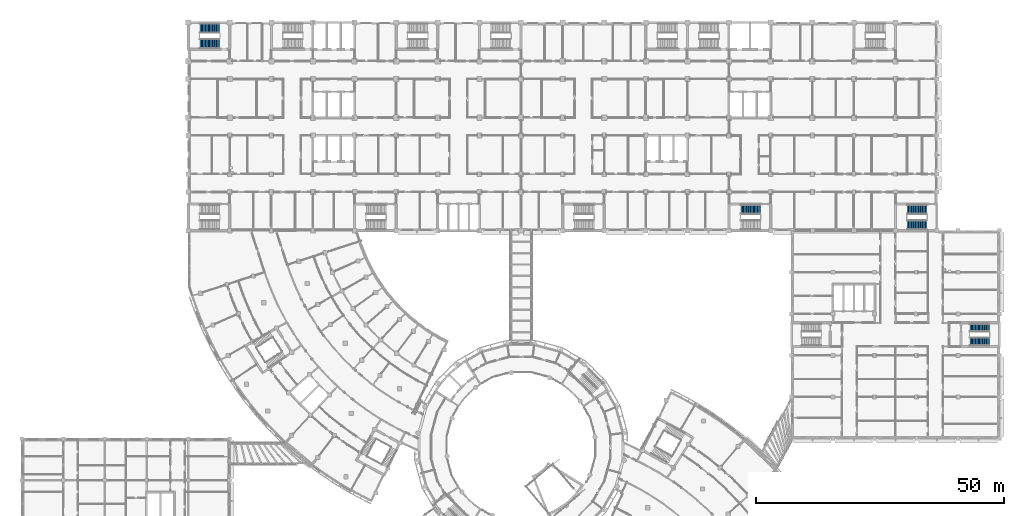
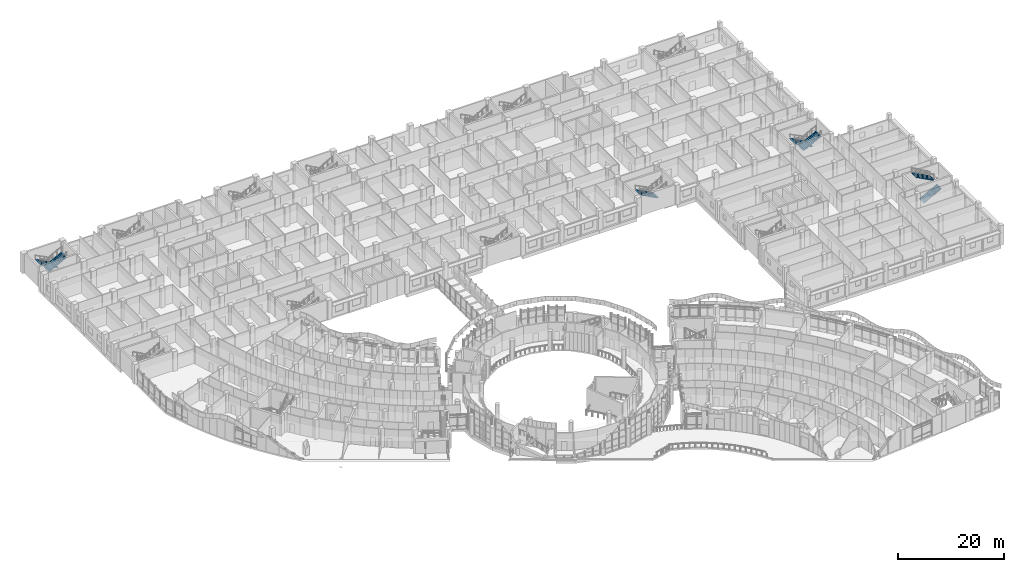
# One storey, part 96 of 136: 7 stair flights, 4 elements without a shape of their own.
"""IFC4 building model written with IfcOpenShell, lengths in metres."""

from ifc_helpers import new_model, si_unit, direction, frame, origin, place, context, subcontext, project, spatial, polyline, outline, extrude, material, type_object, element, aggregate, save


model = new_model("IFC4")

# Units and contexts
model_context = context("Model", 3, precision=1e-05, world=origin(), true_north=direction((0.0, 1.0)))
body_context = subcontext(model_context, "Body", "Model", "MODEL_VIEW")
ifc_project = project(units=[si_unit("LENGTHUNIT", "METRE"), si_unit("AREAUNIT", "SQUARE_METRE"), si_unit("VOLUMEUNIT", "CUBIC_METRE"), si_unit("PLANEANGLEUNIT", "RADIAN"), si_unit("MASSUNIT", "GRAM", prefix="KILO")], contexts=[model_context])

# Site, building, storey
site_placement = place(None, origin())
site = spatial("IfcSite", under=ifc_project, at=site_placement, CompositionType="ELEMENT")
building_placement = place(site_placement, origin())
building = spatial("IfcBuilding", under=site, at=building_placement, Name="Bougainvillea Quay General Hospital", CompositionType="ELEMENT")
storey_placement = place(building_placement, frame((0.0, 0.0, 5.39990234375)))
storey = spatial("IfcBuildingStorey", under=building, at=storey_placement, Name="L01", CompositionType="ELEMENT", Elevation=5.39990234375)

# Stair, stair flights
ifc_material = material(Name="Concrete C35", Category="concrete")
stair_type_1 = type_object("IfcStairType", Name="Stair half-turn 1650 wide", PredefinedType="HALF_TURN_STAIR", material=ifc_material)
stair_1_placement = place(storey_placement, origin())
stair_1 = element("IfcStair", 1, at=stair_1_placement, inside=storey, type_object=stair_type_1, Name="L01 stair ST-T2", PredefinedType="HALF_TURN_STAIR")
stair_flight_type_1 = type_object("IfcStairFlightType", Name="Stair flight 1650", PredefinedType="STRAIGHT", material=ifc_material)
stair_flight_1_placement = place(storey_placement, frame((199.824951171875, 95.199951171875, 0.0), z_axis=(0.0, 0.0, 1.0), x_axis=(1.0, 0.0, 0.0)))
stair_flight_1 = element("IfcStairFlight", 2, at=stair_flight_1_placement, type_object=stair_flight_type_1, Name="ST-T2 flight 1", NumberOfRisers=15, NumberOfTreads=14, PredefinedType="STRAIGHT", RiserHeight=0.15, TreadLength=0.28, context=body_context, shape_type="SweptSolid", body=[
    extrude(outline(polyline([(-0.0029296875, 0.0), (-0.0029296875, 0.003662109375), (-0.0029296875, 0.00732421875), (-0.0029296875, 0.010986328125), (-0.0029296875, 0.0146484375), (-0.0029296875, 0.018310546875), (-0.0029296875, 0.02197265625), (-0.0029296875, 0.025634765625), (-0.0029296875, 0.029296875), (-0.0029296875, 0.032958984375), (-0.0029296875, 0.03662109375), (-0.0029296875, 0.040283203125), (-0.0029296875, 0.0439453125), (-0.0029296875, 0.047607421875), (-0.0029296875, 0.05126953125), (-0.0029296875, 0.054931640625), (-0.0029296875, 0.05859375), (-0.0029296875, 0.062255859375), (-0.0029296875, 0.06591796875), (-0.0029296875, 0.069580078125), (-0.0029296875, 0.0732421875), (-0.0029296875, 0.076904296875), (-0.0029296875, 0.08056640625), (-0.0029296875, 0.084228515625), (-0.0029296875, 0.087890625), (-0.0029296875, 0.091552734375), (-0.0029296875, 0.09521484375), (-0.0029296875, 0.098876953125), (-0.0029296875, 0.1025390625), (-0.0029296875, 0.106201171875), (-0.0029296875, 0.10986328125), (-0.0029296875, 0.113525390625), (-0.0029296875, 0.1171875), (-0.0029296875, 0.120849609375), (-0.0029296875, 0.12451171875), (-0.0029296875, 0.1279296875), (-0.0029296875, 0.131591796875), (-0.0029296875, 0.13525390625), (-0.0029296875, 0.138916015625), (-0.0029296875, 0.142578125), (-0.0029296875, 0.146240234375), (-0.0029296875, 0.14990234375), (0.280029296875, 0.14990234375), (0.280029296875, 0.300048828125), (0.56005859375, 0.300048828125), (0.56005859375, 0.449951171875), (0.840087890625, 0.449951171875), (0.840087890625, 0.60009765625), (1.1201171875, 0.60009765625), (1.1201171875, 0.75), (1.39990234375, 0.75), (1.39990234375, 0.89990234375), (1.679931640625, 0.89990234375), (1.679931640625, 1.050048828125), (1.9599609375, 1.050048828125), (1.9599609375, 1.199951171875), (2.239990234375, 1.199951171875), (2.239990234375, 1.35009765625), (2.52001953125, 1.35009765625), (2.52001953125, 1.5), (2.800048828125, 1.5), (2.800048828125, 1.64990234375), (3.080078125, 1.64990234375), (3.080078125, 1.800048828125), (3.360107421875, 1.800048828125), (3.360107421875, 1.949951171875), (3.639892578125, 1.949951171875), (3.639892578125, 2.10009765625), (3.923095703125, 2.10009765625), (3.923095703125, 2.095947265625), (3.923095703125, 2.091796875), (3.923095703125, 2.087646484375), (3.923095703125, 2.08349609375), (3.923095703125, 2.079345703125), (3.923095703125, 2.0751953125), (3.923095703125, 2.071044921875), (3.923095703125, 2.06689453125), (3.923095703125, 2.062744140625), (3.923095703125, 2.05859375), (3.923095703125, 2.054443359375), (3.923095703125, 2.05029296875), (3.923095703125, 2.046142578125), (3.923095703125, 2.0419921875), (3.923095703125, 2.037841796875), (3.923095703125, 2.03369140625), (3.923095703125, 2.029541015625), (3.923095703125, 2.025390625), (3.923095703125, 2.021240234375), (3.923095703125, 2.01708984375), (3.923095703125, 2.012939453125), (3.923095703125, 2.0087890625), (3.923095703125, 2.004638671875), (3.923095703125, 2.00048828125), (3.923095703125, 1.996337890625), (3.923095703125, 1.9921875), (3.923095703125, 1.988037109375), (3.923095703125, 1.98388671875), (3.923095703125, 1.979736328125), (3.923095703125, 1.9755859375), (3.923095703125, 1.971435546875), (3.923095703125, 1.96728515625), (3.923095703125, 1.963134765625), (3.923095703125, 1.958984375), (3.923095703125, 1.954833984375), (3.923095703125, 1.95068359375), (3.923095703125, 1.946533203125), (3.923095703125, 1.9423828125), (3.923095703125, 1.938232421875), (3.923095703125, 1.93408203125), (3.923095703125, 1.929931640625), (0.3173828125, 0.0), (-0.0029296875, 0.0)])), frame((0.0, 0.824951171875, 0.0), z_axis=(0.0, -1.0, 0.0), x_axis=(1.0, 0.0, 0.0)), (0.0, 0.0, 1.0), 1.64990234375),
])
stair_flight_2_placement = place(storey_placement, frame((203.7451171875, 98.0, 2.25), z_axis=(0.0, 0.0, 1.0), x_axis=(-1.0, 0.0, 0.0)))
stair_flight_2 = element("IfcStairFlight", 3, at=stair_flight_2_placement, type_object=stair_flight_type_1, Name="ST-T2 flight 2", NumberOfRisers=15, NumberOfTreads=14, PredefinedType="STRAIGHT", RiserHeight=0.15, TreadLength=0.28, context=body_context, shape_type="SweptSolid", body=[
    extrude(outline(polyline([(-0.0029296875, 0.0), (-0.0029296875, 0.003662109375), (-0.0029296875, 0.00732421875), (-0.0029296875, 0.010986328125), (-0.0029296875, 0.0146484375), (-0.0029296875, 0.018310546875), (-0.0029296875, 0.02197265625), (-0.0029296875, 0.025634765625), (-0.0029296875, 0.029296875), (-0.0029296875, 0.032958984375), (-0.0029296875, 0.03662109375), (-0.0029296875, 0.040283203125), (-0.0029296875, 0.0439453125), (-0.0029296875, 0.047607421875), (-0.0029296875, 0.05126953125), (-0.0029296875, 0.054931640625), (-0.0029296875, 0.05859375), (-0.0029296875, 0.062255859375), (-0.0029296875, 0.06591796875), (-0.0029296875, 0.069580078125), (-0.0029296875, 0.0732421875), (-0.0029296875, 0.076904296875), (-0.0029296875, 0.08056640625), (-0.0029296875, 0.084228515625), (-0.0029296875, 0.087890625), (-0.0029296875, 0.091552734375), (-0.0029296875, 0.09521484375), (-0.0029296875, 0.098876953125), (-0.0029296875, 0.1025390625), (-0.0029296875, 0.106201171875), (-0.0029296875, 0.10986328125), (-0.0029296875, 0.113525390625), (-0.0029296875, 0.1171875), (-0.0029296875, 0.120849609375), (-0.0029296875, 0.12451171875), (-0.0029296875, 0.1279296875), (-0.0029296875, 0.131591796875), (-0.0029296875, 0.13525390625), (-0.0029296875, 0.138916015625), (-0.0029296875, 0.142578125), (-0.0029296875, 0.146240234375), (-0.0029296875, 0.14990234375), (0.280029296875, 0.14990234375), (0.280029296875, 0.300048828125), (0.56005859375, 0.300048828125), (0.56005859375, 0.449951171875), (0.840087890625, 0.449951171875), (0.840087890625, 0.60009765625), (1.1201171875, 0.60009765625), (1.1201171875, 0.75), (1.39990234375, 0.75), (1.39990234375, 0.89990234375), (1.679931640625, 0.89990234375), (1.679931640625, 1.050048828125), (1.9599609375, 1.050048828125), (1.9599609375, 1.199951171875), (2.239990234375, 1.199951171875), (2.239990234375, 1.35009765625), (2.52001953125, 1.35009765625), (2.52001953125, 1.5), (2.800048828125, 1.5), (2.800048828125, 1.64990234375), (3.080078125, 1.64990234375), (3.080078125, 1.800048828125), (3.360107421875, 1.800048828125), (3.360107421875, 1.949951171875), (3.639892578125, 1.949951171875), (3.639892578125, 2.10009765625), (3.923095703125, 2.10009765625), (3.923095703125, 2.095947265625), (3.923095703125, 2.091796875), (3.923095703125, 2.087646484375), (3.923095703125, 2.08349609375), (3.923095703125, 2.079345703125), (3.923095703125, 2.0751953125), (3.923095703125, 2.071044921875), (3.923095703125, 2.06689453125), (3.923095703125, 2.062744140625), (3.923095703125, 2.05859375), (3.923095703125, 2.054443359375), (3.923095703125, 2.05029296875), (3.923095703125, 2.046142578125), (3.923095703125, 2.0419921875), (3.923095703125, 2.037841796875), (3.923095703125, 2.03369140625), (3.923095703125, 2.029541015625), (3.923095703125, 2.025390625), (3.923095703125, 2.021240234375), (3.923095703125, 2.01708984375), (3.923095703125, 2.012939453125), (3.923095703125, 2.0087890625), (3.923095703125, 2.004638671875), (3.923095703125, 2.00048828125), (3.923095703125, 1.996337890625), (3.923095703125, 1.9921875), (3.923095703125, 1.988037109375), (3.923095703125, 1.98388671875), (3.923095703125, 1.979736328125), (3.923095703125, 1.9755859375), (3.923095703125, 1.971435546875), (3.923095703125, 1.96728515625), (3.923095703125, 1.963134765625), (3.923095703125, 1.958984375), (3.923095703125, 1.954833984375), (3.923095703125, 1.95068359375), (3.923095703125, 1.946533203125), (3.923095703125, 1.9423828125), (3.923095703125, 1.938232421875), (3.923095703125, 1.93408203125), (3.923095703125, 1.929931640625), (0.3173828125, 0.0), (-0.0029296875, 0.0)])), frame((0.0, 0.824951171875, 0.0), z_axis=(0.0, -1.0, 0.0), x_axis=(1.0, 0.0, 0.0)), (0.0, 0.0, 1.0), 1.64990234375),
])
aggregate(stair_1, [stair_flight_1, stair_flight_2])

stair_type_2 = type_object("IfcStairType", Name="Stair half-turn 1925 wide", PredefinedType="HALF_TURN_STAIR", material=ifc_material)
stair_2_placement = place(storey_placement, origin())
stair_2 = element("IfcStair", 4, at=stair_2_placement, inside=storey, type_object=stair_type_2, Name="L01 stair ST-D4", PredefinedType="HALF_TURN_STAIR")
stair_flight_type_2 = type_object("IfcStairFlightType", Name="Stair flight 1925", PredefinedType="STRAIGHT", material=ifc_material)
stair_flight_3_placement = place(storey_placement, frame((191.10009765625, 121.862548828125, 0.0), z_axis=(0.0, 0.0, 1.0), x_axis=(-1.0, 0.0, 0.0)))
stair_flight_3 = element("IfcStairFlight", 5, at=stair_flight_3_placement, type_object=stair_flight_type_2, Name="ST-D4 flight 1", NumberOfRisers=15, NumberOfTreads=14, PredefinedType="STRAIGHT", RiserHeight=0.15, TreadLength=0.28, context=body_context, shape_type="SweptSolid", body=[
    extrude(outline(polyline([(-0.0029296875, 0.0), (-0.0029296875, 0.003662109375), (-0.0029296875, 0.00732421875), (-0.0029296875, 0.010986328125), (-0.0029296875, 0.0146484375), (-0.0029296875, 0.018310546875), (-0.0029296875, 0.02197265625), (-0.0029296875, 0.025634765625), (-0.0029296875, 0.029296875), (-0.0029296875, 0.032958984375), (-0.0029296875, 0.03662109375), (-0.0029296875, 0.040283203125), (-0.0029296875, 0.0439453125), (-0.0029296875, 0.047607421875), (-0.0029296875, 0.05126953125), (-0.0029296875, 0.054931640625), (-0.0029296875, 0.05859375), (-0.0029296875, 0.062255859375), (-0.0029296875, 0.06591796875), (-0.0029296875, 0.069580078125), (-0.0029296875, 0.0732421875), (-0.0029296875, 0.076904296875), (-0.0029296875, 0.08056640625), (-0.0029296875, 0.084228515625), (-0.0029296875, 0.087890625), (-0.0029296875, 0.091552734375), (-0.0029296875, 0.09521484375), (-0.0029296875, 0.098876953125), (-0.0029296875, 0.1025390625), (-0.0029296875, 0.106201171875), (-0.0029296875, 0.10986328125), (-0.0029296875, 0.113525390625), (-0.0029296875, 0.1171875), (-0.0029296875, 0.120849609375), (-0.0029296875, 0.12451171875), (-0.0029296875, 0.1279296875), (-0.0029296875, 0.131591796875), (-0.0029296875, 0.13525390625), (-0.0029296875, 0.138916015625), (-0.0029296875, 0.142578125), (-0.0029296875, 0.146240234375), (-0.0029296875, 0.14990234375), (0.280029296875, 0.14990234375), (0.280029296875, 0.300048828125), (0.56005859375, 0.300048828125), (0.56005859375, 0.449951171875), (0.840087890625, 0.449951171875), (0.840087890625, 0.60009765625), (1.1201171875, 0.60009765625), (1.1201171875, 0.75), (1.39990234375, 0.75), (1.39990234375, 0.89990234375), (1.679931640625, 0.89990234375), (1.679931640625, 1.050048828125), (1.9599609375, 1.050048828125), (1.9599609375, 1.199951171875), (2.239990234375, 1.199951171875), (2.239990234375, 1.35009765625), (2.52001953125, 1.35009765625), (2.52001953125, 1.5), (2.800048828125, 1.5), (2.800048828125, 1.64990234375), (3.080078125, 1.64990234375), (3.080078125, 1.800048828125), (3.360107421875, 1.800048828125), (3.360107421875, 1.949951171875), (3.639892578125, 1.949951171875), (3.639892578125, 2.10009765625), (3.923095703125, 2.10009765625), (3.923095703125, 2.095947265625), (3.923095703125, 2.091796875), (3.923095703125, 2.087646484375), (3.923095703125, 2.08349609375), (3.923095703125, 2.079345703125), (3.923095703125, 2.0751953125), (3.923095703125, 2.071044921875), (3.923095703125, 2.06689453125), (3.923095703125, 2.062744140625), (3.923095703125, 2.05859375), (3.923095703125, 2.054443359375), (3.923095703125, 2.05029296875), (3.923095703125, 2.046142578125), (3.923095703125, 2.0419921875), (3.923095703125, 2.037841796875), (3.923095703125, 2.03369140625), (3.923095703125, 2.029541015625), (3.923095703125, 2.025390625), (3.923095703125, 2.021240234375), (3.923095703125, 2.01708984375), (3.923095703125, 2.012939453125), (3.923095703125, 2.0087890625), (3.923095703125, 2.004638671875), (3.923095703125, 2.00048828125), (3.923095703125, 1.996337890625), (3.923095703125, 1.9921875), (3.923095703125, 1.988037109375), (3.923095703125, 1.98388671875), (3.923095703125, 1.979736328125), (3.923095703125, 1.9755859375), (3.923095703125, 1.971435546875), (3.923095703125, 1.96728515625), (3.923095703125, 1.963134765625), (3.923095703125, 1.958984375), (3.923095703125, 1.954833984375), (3.923095703125, 1.95068359375), (3.923095703125, 1.946533203125), (3.923095703125, 1.9423828125), (3.923095703125, 1.938232421875), (3.923095703125, 1.93408203125), (3.923095703125, 1.929931640625), (0.3173828125, 0.0), (-0.0029296875, 0.0)])), frame((0.0, 0.96240234375, 0.0), z_axis=(0.0, -1.0, 0.0), x_axis=(1.0, 0.0, 0.0)), (0.0, 0.0, 1.0), 1.925048828125),
])
stair_flight_4_placement = place(storey_placement, frame((187.179931640625, 118.737548828125, 2.25), z_axis=(0.0, 0.0, 1.0), x_axis=(1.0, 0.0, 0.0)))
stair_flight_4 = element("IfcStairFlight", 6, at=stair_flight_4_placement, type_object=stair_flight_type_2, Name="ST-D4 flight 2", NumberOfRisers=15, NumberOfTreads=14, PredefinedType="STRAIGHT", RiserHeight=0.15, TreadLength=0.28, context=body_context, shape_type="SweptSolid", body=[
    extrude(outline(polyline([(-0.0029296875, 0.0), (-0.0029296875, 0.003662109375), (-0.0029296875, 0.00732421875), (-0.0029296875, 0.010986328125), (-0.0029296875, 0.0146484375), (-0.0029296875, 0.018310546875), (-0.0029296875, 0.02197265625), (-0.0029296875, 0.025634765625), (-0.0029296875, 0.029296875), (-0.0029296875, 0.032958984375), (-0.0029296875, 0.03662109375), (-0.0029296875, 0.040283203125), (-0.0029296875, 0.0439453125), (-0.0029296875, 0.047607421875), (-0.0029296875, 0.05126953125), (-0.0029296875, 0.054931640625), (-0.0029296875, 0.05859375), (-0.0029296875, 0.062255859375), (-0.0029296875, 0.06591796875), (-0.0029296875, 0.069580078125), (-0.0029296875, 0.0732421875), (-0.0029296875, 0.076904296875), (-0.0029296875, 0.08056640625), (-0.0029296875, 0.084228515625), (-0.0029296875, 0.087890625), (-0.0029296875, 0.091552734375), (-0.0029296875, 0.09521484375), (-0.0029296875, 0.098876953125), (-0.0029296875, 0.1025390625), (-0.0029296875, 0.106201171875), (-0.0029296875, 0.10986328125), (-0.0029296875, 0.113525390625), (-0.0029296875, 0.1171875), (-0.0029296875, 0.120849609375), (-0.0029296875, 0.12451171875), (-0.0029296875, 0.1279296875), (-0.0029296875, 0.131591796875), (-0.0029296875, 0.13525390625), (-0.0029296875, 0.138916015625), (-0.0029296875, 0.142578125), (-0.0029296875, 0.146240234375), (-0.0029296875, 0.14990234375), (0.280029296875, 0.14990234375), (0.280029296875, 0.300048828125), (0.56005859375, 0.300048828125), (0.56005859375, 0.449951171875), (0.840087890625, 0.449951171875), (0.840087890625, 0.60009765625), (1.1201171875, 0.60009765625), (1.1201171875, 0.75), (1.39990234375, 0.75), (1.39990234375, 0.89990234375), (1.679931640625, 0.89990234375), (1.679931640625, 1.050048828125), (1.9599609375, 1.050048828125), (1.9599609375, 1.199951171875), (2.239990234375, 1.199951171875), (2.239990234375, 1.35009765625), (2.52001953125, 1.35009765625), (2.52001953125, 1.5), (2.800048828125, 1.5), (2.800048828125, 1.64990234375), (3.080078125, 1.64990234375), (3.080078125, 1.800048828125), (3.360107421875, 1.800048828125), (3.360107421875, 1.949951171875), (3.639892578125, 1.949951171875), (3.639892578125, 2.10009765625), (3.923095703125, 2.10009765625), (3.923095703125, 2.095947265625), (3.923095703125, 2.091796875), (3.923095703125, 2.087646484375), (3.923095703125, 2.08349609375), (3.923095703125, 2.079345703125), (3.923095703125, 2.0751953125), (3.923095703125, 2.071044921875), (3.923095703125, 2.06689453125), (3.923095703125, 2.062744140625), (3.923095703125, 2.05859375), (3.923095703125, 2.054443359375), (3.923095703125, 2.05029296875), (3.923095703125, 2.046142578125), (3.923095703125, 2.0419921875), (3.923095703125, 2.037841796875), (3.923095703125, 2.03369140625), (3.923095703125, 2.029541015625), (3.923095703125, 2.025390625), (3.923095703125, 2.021240234375), (3.923095703125, 2.01708984375), (3.923095703125, 2.012939453125), (3.923095703125, 2.0087890625), (3.923095703125, 2.004638671875), (3.923095703125, 2.00048828125), (3.923095703125, 1.996337890625), (3.923095703125, 1.9921875), (3.923095703125, 1.988037109375), (3.923095703125, 1.98388671875), (3.923095703125, 1.979736328125), (3.923095703125, 1.9755859375), (3.923095703125, 1.971435546875), (3.923095703125, 1.96728515625), (3.923095703125, 1.963134765625), (3.923095703125, 1.958984375), (3.923095703125, 1.954833984375), (3.923095703125, 1.95068359375), (3.923095703125, 1.946533203125), (3.923095703125, 1.9423828125), (3.923095703125, 1.938232421875), (3.923095703125, 1.93408203125), (3.923095703125, 1.929931640625), (0.3173828125, 0.0), (-0.0029296875, 0.0)])), frame((0.0, 0.96240234375, 0.0), z_axis=(0.0, -1.0, 0.0), x_axis=(1.0, 0.0, 0.0)), (0.0, 0.0, 1.0), 1.925048828125),
])
aggregate(stair_2, [stair_flight_3, stair_flight_4])

stair_3_placement = place(storey_placement, origin())
stair_3 = element("IfcStair", 7, at=stair_3_placement, inside=storey, type_object=stair_type_2, Name="L01 stair ST-A1", PredefinedType="HALF_TURN_STAIR")
stair_flight_5_placement = place(storey_placement, frame((48.300048828125, 158.46240234375, 0.0), z_axis=(0.0, 0.0, 1.0), x_axis=(-1.0, 0.0, 0.0)))
stair_flight_5 = element("IfcStairFlight", 8, at=stair_flight_5_placement, type_object=stair_flight_type_2, Name="ST-A1 flight 1", NumberOfRisers=15, NumberOfTreads=14, PredefinedType="STRAIGHT", RiserHeight=0.15, TreadLength=0.28, context=body_context, shape_type="SweptSolid", body=[
    extrude(outline(polyline([(-0.0029296875, 0.0), (-0.0029296875, 0.003662109375), (-0.0029296875, 0.00732421875), (-0.0029296875, 0.010986328125), (-0.0029296875, 0.0146484375), (-0.0029296875, 0.018310546875), (-0.0029296875, 0.02197265625), (-0.0029296875, 0.025634765625), (-0.0029296875, 0.029296875), (-0.0029296875, 0.032958984375), (-0.0029296875, 0.03662109375), (-0.0029296875, 0.040283203125), (-0.0029296875, 0.0439453125), (-0.0029296875, 0.047607421875), (-0.0029296875, 0.05126953125), (-0.0029296875, 0.054931640625), (-0.0029296875, 0.05859375), (-0.0029296875, 0.062255859375), (-0.0029296875, 0.06591796875), (-0.0029296875, 0.069580078125), (-0.0029296875, 0.0732421875), (-0.0029296875, 0.076904296875), (-0.0029296875, 0.08056640625), (-0.0029296875, 0.084228515625), (-0.0029296875, 0.087890625), (-0.0029296875, 0.091552734375), (-0.0029296875, 0.09521484375), (-0.0029296875, 0.098876953125), (-0.0029296875, 0.1025390625), (-0.0029296875, 0.106201171875), (-0.0029296875, 0.10986328125), (-0.0029296875, 0.113525390625), (-0.0029296875, 0.1171875), (-0.0029296875, 0.120849609375), (-0.0029296875, 0.12451171875), (-0.0029296875, 0.1279296875), (-0.0029296875, 0.131591796875), (-0.0029296875, 0.13525390625), (-0.0029296875, 0.138916015625), (-0.0029296875, 0.142578125), (-0.0029296875, 0.146240234375), (-0.0029296875, 0.14990234375), (0.280029296875, 0.14990234375), (0.280029296875, 0.300048828125), (0.56005859375, 0.300048828125), (0.56005859375, 0.449951171875), (0.840087890625, 0.449951171875), (0.840087890625, 0.60009765625), (1.1201171875, 0.60009765625), (1.1201171875, 0.75), (1.39990234375, 0.75), (1.39990234375, 0.89990234375), (1.679931640625, 0.89990234375), (1.679931640625, 1.050048828125), (1.9599609375, 1.050048828125), (1.9599609375, 1.199951171875), (2.239990234375, 1.199951171875), (2.239990234375, 1.35009765625), (2.52001953125, 1.35009765625), (2.52001953125, 1.5), (2.800048828125, 1.5), (2.800048828125, 1.64990234375), (3.080078125, 1.64990234375), (3.080078125, 1.800048828125), (3.360107421875, 1.800048828125), (3.360107421875, 1.949951171875), (3.639892578125, 1.949951171875), (3.639892578125, 2.10009765625), (3.923095703125, 2.10009765625), (3.923095703125, 2.095947265625), (3.923095703125, 2.091796875), (3.923095703125, 2.087646484375), (3.923095703125, 2.08349609375), (3.923095703125, 2.079345703125), (3.923095703125, 2.0751953125), (3.923095703125, 2.071044921875), (3.923095703125, 2.06689453125), (3.923095703125, 2.062744140625), (3.923095703125, 2.05859375), (3.923095703125, 2.054443359375), (3.923095703125, 2.05029296875), (3.923095703125, 2.046142578125), (3.923095703125, 2.0419921875), (3.923095703125, 2.037841796875), (3.923095703125, 2.03369140625), (3.923095703125, 2.029541015625), (3.923095703125, 2.025390625), (3.923095703125, 2.021240234375), (3.923095703125, 2.01708984375), (3.923095703125, 2.012939453125), (3.923095703125, 2.0087890625), (3.923095703125, 2.004638671875), (3.923095703125, 2.00048828125), (3.923095703125, 1.996337890625), (3.923095703125, 1.9921875), (3.923095703125, 1.988037109375), (3.923095703125, 1.98388671875), (3.923095703125, 1.979736328125), (3.923095703125, 1.9755859375), (3.923095703125, 1.971435546875), (3.923095703125, 1.96728515625), (3.923095703125, 1.963134765625), (3.923095703125, 1.958984375), (3.923095703125, 1.954833984375), (3.923095703125, 1.95068359375), (3.923095703125, 1.946533203125), (3.923095703125, 1.9423828125), (3.923095703125, 1.938232421875), (3.923095703125, 1.93408203125), (3.923095703125, 1.929931640625), (0.3173828125, 0.0), (-0.0029296875, 0.0)])), frame((0.0, 0.96240234375, 0.0), z_axis=(0.0, -1.0, 0.0), x_axis=(1.0, 0.0, 0.0)), (0.0, 0.0, 1.0), 1.925048828125),
])
stair_flight_6_placement = place(storey_placement, frame((44.3798828125, 155.33740234375, 2.25), z_axis=(0.0, 0.0, 1.0), x_axis=(1.0, 0.0, 0.0)))
stair_flight_6 = element("IfcStairFlight", 9, at=stair_flight_6_placement, type_object=stair_flight_type_2, Name="ST-A1 flight 2", NumberOfRisers=15, NumberOfTreads=14, PredefinedType="STRAIGHT", RiserHeight=0.15, TreadLength=0.28, context=body_context, shape_type="SweptSolid", body=[
    extrude(outline(polyline([(-0.0029296875, 0.0), (-0.0029296875, 0.003662109375), (-0.0029296875, 0.00732421875), (-0.0029296875, 0.010986328125), (-0.0029296875, 0.0146484375), (-0.0029296875, 0.018310546875), (-0.0029296875, 0.02197265625), (-0.0029296875, 0.025634765625), (-0.0029296875, 0.029296875), (-0.0029296875, 0.032958984375), (-0.0029296875, 0.03662109375), (-0.0029296875, 0.040283203125), (-0.0029296875, 0.0439453125), (-0.0029296875, 0.047607421875), (-0.0029296875, 0.05126953125), (-0.0029296875, 0.054931640625), (-0.0029296875, 0.05859375), (-0.0029296875, 0.062255859375), (-0.0029296875, 0.06591796875), (-0.0029296875, 0.069580078125), (-0.0029296875, 0.0732421875), (-0.0029296875, 0.076904296875), (-0.0029296875, 0.08056640625), (-0.0029296875, 0.084228515625), (-0.0029296875, 0.087890625), (-0.0029296875, 0.091552734375), (-0.0029296875, 0.09521484375), (-0.0029296875, 0.098876953125), (-0.0029296875, 0.1025390625), (-0.0029296875, 0.106201171875), (-0.0029296875, 0.10986328125), (-0.0029296875, 0.113525390625), (-0.0029296875, 0.1171875), (-0.0029296875, 0.120849609375), (-0.0029296875, 0.12451171875), (-0.0029296875, 0.1279296875), (-0.0029296875, 0.131591796875), (-0.0029296875, 0.13525390625), (-0.0029296875, 0.138916015625), (-0.0029296875, 0.142578125), (-0.0029296875, 0.146240234375), (-0.0029296875, 0.14990234375), (0.280029296875, 0.14990234375), (0.280029296875, 0.300048828125), (0.56005859375, 0.300048828125), (0.56005859375, 0.449951171875), (0.840087890625, 0.449951171875), (0.840087890625, 0.60009765625), (1.1201171875, 0.60009765625), (1.1201171875, 0.75), (1.39990234375, 0.75), (1.39990234375, 0.89990234375), (1.679931640625, 0.89990234375), (1.679931640625, 1.050048828125), (1.9599609375, 1.050048828125), (1.9599609375, 1.199951171875), (2.239990234375, 1.199951171875), (2.239990234375, 1.35009765625), (2.52001953125, 1.35009765625), (2.52001953125, 1.5), (2.800048828125, 1.5), (2.800048828125, 1.64990234375), (3.080078125, 1.64990234375), (3.080078125, 1.800048828125), (3.360107421875, 1.800048828125), (3.360107421875, 1.949951171875), (3.639892578125, 1.949951171875), (3.639892578125, 2.10009765625), (3.923095703125, 2.10009765625), (3.923095703125, 2.095947265625), (3.923095703125, 2.091796875), (3.923095703125, 2.087646484375), (3.923095703125, 2.08349609375), (3.923095703125, 2.079345703125), (3.923095703125, 2.0751953125), (3.923095703125, 2.071044921875), (3.923095703125, 2.06689453125), (3.923095703125, 2.062744140625), (3.923095703125, 2.05859375), (3.923095703125, 2.054443359375), (3.923095703125, 2.05029296875), (3.923095703125, 2.046142578125), (3.923095703125, 2.0419921875), (3.923095703125, 2.037841796875), (3.923095703125, 2.03369140625), (3.923095703125, 2.029541015625), (3.923095703125, 2.025390625), (3.923095703125, 2.021240234375), (3.923095703125, 2.01708984375), (3.923095703125, 2.012939453125), (3.923095703125, 2.0087890625), (3.923095703125, 2.004638671875), (3.923095703125, 2.00048828125), (3.923095703125, 1.996337890625), (3.923095703125, 1.9921875), (3.923095703125, 1.988037109375), (3.923095703125, 1.98388671875), (3.923095703125, 1.979736328125), (3.923095703125, 1.9755859375), (3.923095703125, 1.971435546875), (3.923095703125, 1.96728515625), (3.923095703125, 1.963134765625), (3.923095703125, 1.958984375), (3.923095703125, 1.954833984375), (3.923095703125, 1.95068359375), (3.923095703125, 1.946533203125), (3.923095703125, 1.9423828125), (3.923095703125, 1.938232421875), (3.923095703125, 1.93408203125), (3.923095703125, 1.929931640625), (0.3173828125, 0.0), (-0.0029296875, 0.0)])), frame((0.0, 0.96240234375, 0.0), z_axis=(0.0, -1.0, 0.0), x_axis=(1.0, 0.0, 0.0)), (0.0, 0.0, 1.0), 1.925048828125),
])
aggregate(stair_3, [stair_flight_5, stair_flight_6])

# Stair, stair flight
stair_4_placement = place(storey_placement, origin())
stair_4 = element("IfcStair", 10, at=stair_4_placement, inside=storey, type_object=stair_type_2, Name="L01 stair ST-B4", PredefinedType="HALF_TURN_STAIR")
stair_flight_7_placement = place(storey_placement, frame((157.5, 121.862548828125, 0.0), z_axis=(0.0, 0.0, 1.0), x_axis=(-1.0, 0.0, 0.0)))
stair_flight_7 = element("IfcStairFlight", 11, at=stair_flight_7_placement, type_object=stair_flight_type_2, Name="ST-B4 flight 1", NumberOfRisers=15, NumberOfTreads=14, PredefinedType="STRAIGHT", RiserHeight=0.15, TreadLength=0.28, context=body_context, shape_type="SweptSolid", body=[
    extrude(outline(polyline([(-0.0029296875, 0.0), (-0.0029296875, 0.003662109375), (-0.0029296875, 0.00732421875), (-0.0029296875, 0.010986328125), (-0.0029296875, 0.0146484375), (-0.0029296875, 0.018310546875), (-0.0029296875, 0.02197265625), (-0.0029296875, 0.025634765625), (-0.0029296875, 0.029296875), (-0.0029296875, 0.032958984375), (-0.0029296875, 0.03662109375), (-0.0029296875, 0.040283203125), (-0.0029296875, 0.0439453125), (-0.0029296875, 0.047607421875), (-0.0029296875, 0.05126953125), (-0.0029296875, 0.054931640625), (-0.0029296875, 0.05859375), (-0.0029296875, 0.062255859375), (-0.0029296875, 0.06591796875), (-0.0029296875, 0.069580078125), (-0.0029296875, 0.0732421875), (-0.0029296875, 0.076904296875), (-0.0029296875, 0.08056640625), (-0.0029296875, 0.084228515625), (-0.0029296875, 0.087890625), (-0.0029296875, 0.091552734375), (-0.0029296875, 0.09521484375), (-0.0029296875, 0.098876953125), (-0.0029296875, 0.1025390625), (-0.0029296875, 0.106201171875), (-0.0029296875, 0.10986328125), (-0.0029296875, 0.113525390625), (-0.0029296875, 0.1171875), (-0.0029296875, 0.120849609375), (-0.0029296875, 0.12451171875), (-0.0029296875, 0.1279296875), (-0.0029296875, 0.131591796875), (-0.0029296875, 0.13525390625), (-0.0029296875, 0.138916015625), (-0.0029296875, 0.142578125), (-0.0029296875, 0.146240234375), (-0.0029296875, 0.14990234375), (0.280029296875, 0.14990234375), (0.280029296875, 0.300048828125), (0.56005859375, 0.300048828125), (0.56005859375, 0.449951171875), (0.840087890625, 0.449951171875), (0.840087890625, 0.60009765625), (1.1201171875, 0.60009765625), (1.1201171875, 0.75), (1.39990234375, 0.75), (1.39990234375, 0.89990234375), (1.679931640625, 0.89990234375), (1.679931640625, 1.050048828125), (1.9599609375, 1.050048828125), (1.9599609375, 1.199951171875), (2.239990234375, 1.199951171875), (2.239990234375, 1.35009765625), (2.52001953125, 1.35009765625), (2.52001953125, 1.5), (2.800048828125, 1.5), (2.800048828125, 1.64990234375), (3.080078125, 1.64990234375), (3.080078125, 1.800048828125), (3.360107421875, 1.800048828125), (3.360107421875, 1.949951171875), (3.639892578125, 1.949951171875), (3.639892578125, 2.10009765625), (3.923095703125, 2.10009765625), (3.923095703125, 2.095947265625), (3.923095703125, 2.091796875), (3.923095703125, 2.087646484375), (3.923095703125, 2.08349609375), (3.923095703125, 2.079345703125), (3.923095703125, 2.0751953125), (3.923095703125, 2.071044921875), (3.923095703125, 2.06689453125), (3.923095703125, 2.062744140625), (3.923095703125, 2.05859375), (3.923095703125, 2.054443359375), (3.923095703125, 2.05029296875), (3.923095703125, 2.046142578125), (3.923095703125, 2.0419921875), (3.923095703125, 2.037841796875), (3.923095703125, 2.03369140625), (3.923095703125, 2.029541015625), (3.923095703125, 2.025390625), (3.923095703125, 2.021240234375), (3.923095703125, 2.01708984375), (3.923095703125, 2.012939453125), (3.923095703125, 2.0087890625), (3.923095703125, 2.004638671875), (3.923095703125, 2.00048828125), (3.923095703125, 1.996337890625), (3.923095703125, 1.9921875), (3.923095703125, 1.988037109375), (3.923095703125, 1.98388671875), (3.923095703125, 1.979736328125), (3.923095703125, 1.9755859375), (3.923095703125, 1.971435546875), (3.923095703125, 1.96728515625), (3.923095703125, 1.963134765625), (3.923095703125, 1.958984375), (3.923095703125, 1.954833984375), (3.923095703125, 1.95068359375), (3.923095703125, 1.946533203125), (3.923095703125, 1.9423828125), (3.923095703125, 1.938232421875), (3.923095703125, 1.93408203125), (3.923095703125, 1.929931640625), (0.3173828125, 0.0), (-0.0029296875, 0.0)])), frame((0.0, 0.96240234375, 0.0), z_axis=(0.0, -1.0, 0.0), x_axis=(1.0, 0.0, 0.0)), (0.0, 0.0, 1.0), 1.925048828125),
])
aggregate(stair_4, [stair_flight_7])

save(model, "model.ifc")
